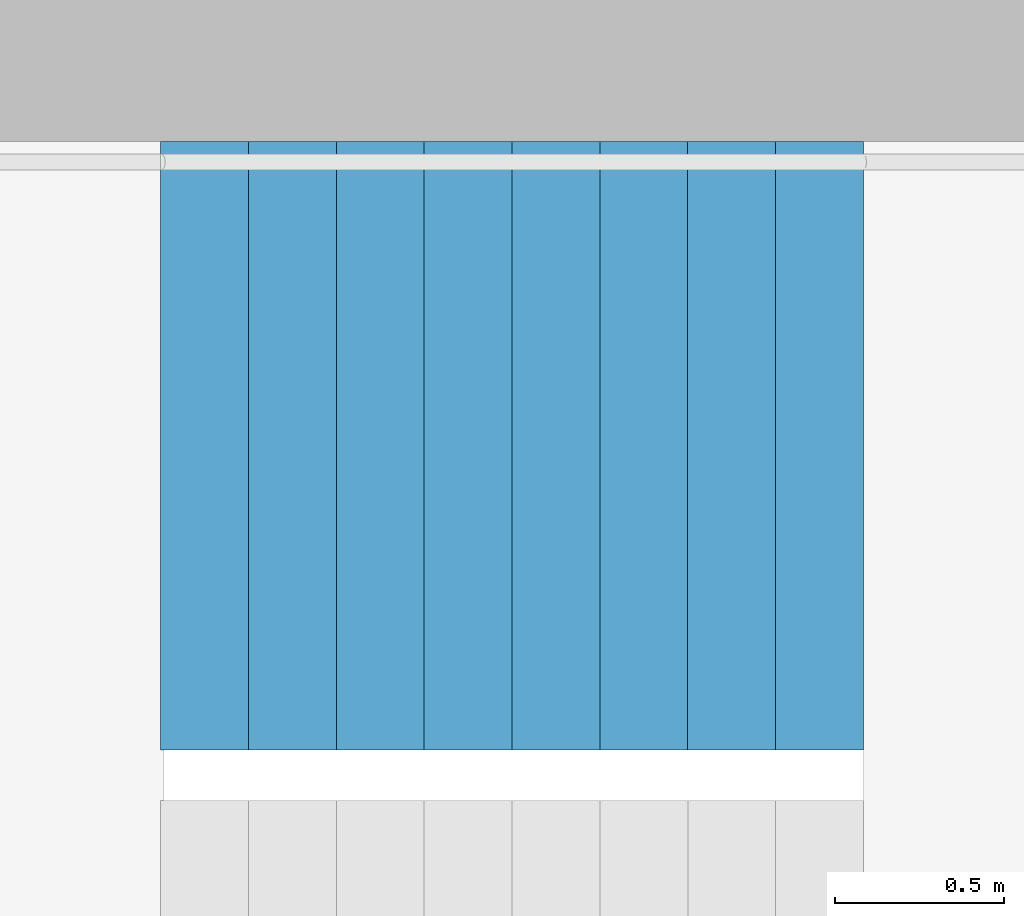
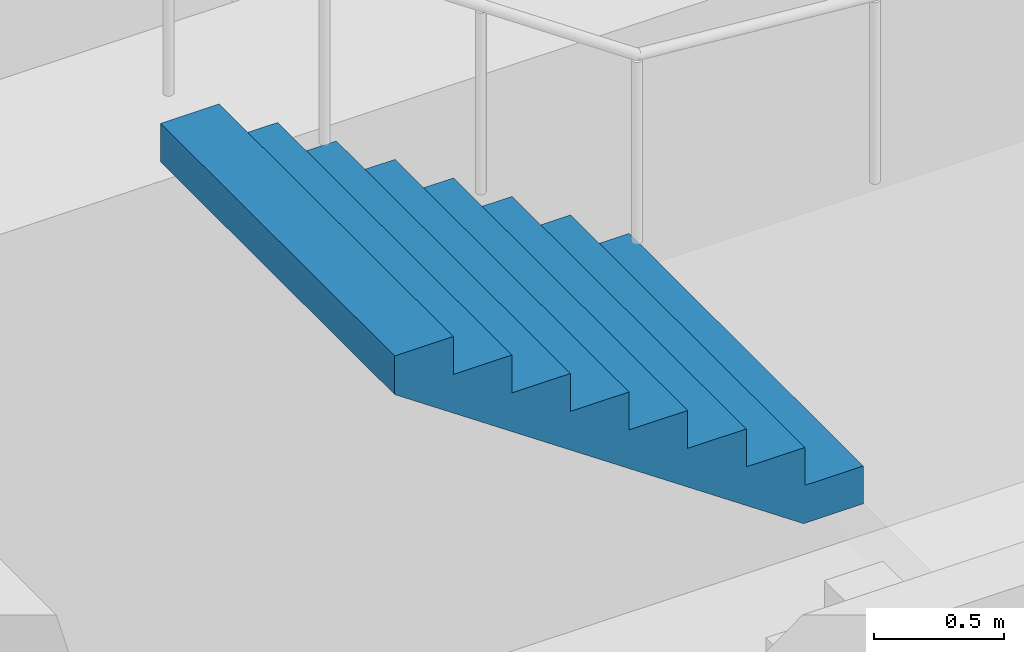
# One storey, part 21 of 26: 1 stair flight, 1 element without a shape of its own.
"""IFC4 building model written with IfcOpenShell, lengths in metres."""

from ifc_helpers import new_model, si_unit, direction, frame, origin, place, context, subcontext, project, spatial, triangles, material, type_object, element, aggregate, save


model = new_model("IFC4")

# Units and contexts
model_context = context("Model", 3, precision=1e-05, world=origin(), true_north=direction((0.0, 1.0)))
body_context = subcontext(model_context, "Body", "Model", "MODEL_VIEW")
ifc_project = project(units=[si_unit("LENGTHUNIT", "METRE"), si_unit("AREAUNIT", "SQUARE_METRE"), si_unit("VOLUMEUNIT", "CUBIC_METRE"), si_unit("PLANEANGLEUNIT", "RADIAN"), si_unit("MASSUNIT", "GRAM", prefix="KILO")], contexts=[model_context])

# Site, building, storey
site_placement = place(None, origin())
site = spatial("IfcSite", under=ifc_project, at=site_placement, CompositionType="ELEMENT")
building_placement = place(site_placement, origin())
building = spatial("IfcBuilding", under=site, at=building_placement, Name="Hakoniwa Tower and Hamabe Station Hall", CompositionType="ELEMENT")
storey_placement = place(building_placement, frame((0.0, 0.0, 221.800048828125)))
storey = spatial("IfcBuildingStorey", under=building, at=storey_placement, Name="L63", CompositionType="ELEMENT", Elevation=221.800048828125)

# Stair, stair flight
ifc_material_1 = material(Name="Concrete C40", Category="concrete")
stair_type = type_object("IfcStairType", Name="ESCAPE STAIR 1800", PredefinedType="HALF_TURN_STAIR", material=ifc_material_1)
stair_placement = place(storey_placement, origin())
stair = element("IfcStair", 1, at=stair_placement, inside=storey, type_object=stair_type, Name="Escape stair ST-1 L63", PredefinedType="HALF_TURN_STAIR")
ifc_material_2 = material(Name="Concrete C40", Category="concrete")
stair_flight_type = type_object("IfcStairFlightType", Name="STAIR FLIGHT 1800", PredefinedType="STRAIGHT", material=ifc_material_2)
stair_flight_placement = place(storey_placement, frame((-22.320068359375, 6.60009765625, 1.599853515625), z_axis=(0.0, 0.0, 1.0), x_axis=(-1.0, 0.0, 0.0)))
stair_flight = element("IfcStairFlight", 2, at=stair_flight_placement, type_object=stair_flight_type, Name="ST-1 flight 2", NumberOfRisers=9, NumberOfTreads=8, PredefinedType="STRAIGHT", RiserHeight=0.177777778, TreadLength=0.26, context=body_context, shape_type="Tessellation", body=[
    triangles([(0.0, 0.89990234375, 0.0), (0.260009765625, 0.89990234375, 0.0), (0.265625, 0.89990234375, 0.0), (0.52001953125, 0.89990234375, 0.174072265625), (0.780029296875, 0.89990234375, 0.351806640625), (1.0400390625, 0.89990234375, 0.529541015625), (1.300048828125, 0.89990234375, 0.707275390625), (1.56005859375, 0.89990234375, 0.885009765625), (1.820068359375, 0.89990234375, 1.062744140625), (2.080078125, 0.89990234375, 1.24072265625), (2.080078125, 0.89990234375, 1.422119140625), (1.820068359375, 0.89990234375, 1.422119140625), (1.820068359375, 0.89990234375, 1.244384765625), (1.56005859375, 0.89990234375, 1.244384765625), (1.56005859375, 0.89990234375, 1.066650390625), (1.300048828125, 0.89990234375, 1.066650390625), (1.300048828125, 0.89990234375, 0.888916015625), (1.0400390625, 0.89990234375, 0.888916015625), (1.0400390625, 0.89990234375, 0.711181640625), (0.780029296875, 0.89990234375, 0.711181640625), (0.780029296875, 0.89990234375, 0.533447265625), (0.52001953125, 0.89990234375, 0.533447265625), (0.52001953125, 0.89990234375, 0.35546875), (0.265625, 0.89990234375, 0.35546875), (0.260009765625, 0.89990234375, 0.35546875), (0.260009765625, 0.89990234375, 0.177734375), (0.0, 0.89990234375, 0.177734375), (0.0, 0.06005859375, 0.0), (0.260009765625, 0.06005859375, 0.0), (0.265625, 0.06005859375, 0.0), (0.52001953125, 0.06005859375, 0.174072265625), (0.780029296875, 0.06005859375, 0.351806640625), (1.0400390625, 0.06005859375, 0.529541015625), (1.300048828125, 0.06005859375, 0.707275390625), (1.56005859375, 0.06005859375, 0.885009765625), (1.820068359375, 0.06005859375, 1.062744140625), (2.080078125, 0.06005859375, 1.24072265625), (2.080078125, 0.06005859375, 1.422119140625), (1.820068359375, 0.06005859375, 1.422119140625), (1.820068359375, 0.06005859375, 1.244384765625), (1.56005859375, 0.06005859375, 1.244384765625), (1.56005859375, 0.06005859375, 1.066650390625), (1.300048828125, 0.06005859375, 1.066650390625), (1.300048828125, 0.06005859375, 0.888916015625), (1.0400390625, 0.06005859375, 0.888916015625), (1.0400390625, 0.06005859375, 0.711181640625), (0.780029296875, 0.06005859375, 0.711181640625), (0.780029296875, 0.06005859375, 0.533447265625), (0.52001953125, 0.06005859375, 0.533447265625), (0.52001953125, 0.06005859375, 0.35546875), (0.265625, 0.06005859375, 0.35546875), (0.260009765625, 0.06005859375, 0.35546875), (0.260009765625, 0.06005859375, 0.177734375), (0.0, 0.06005859375, 0.177734375), (0.0, 0.04296875, 0.0), (0.260009765625, 0.04296875, 0.0), (0.265625, 0.04296875, 0.0), (0.52001953125, 0.04296875, 0.174072265625), (0.780029296875, 0.04296875, 0.351806640625), (1.0400390625, 0.04296875, 0.529541015625), (1.300048828125, 0.04296875, 0.707275390625), (1.56005859375, 0.04296875, 0.885009765625), (1.820068359375, 0.04296875, 1.062744140625), (2.080078125, 0.04296875, 1.24072265625), (2.080078125, 0.04296875, 1.422119140625), (1.820068359375, 0.04296875, 1.422119140625), (1.820068359375, 0.04296875, 1.244384765625), (1.56005859375, 0.04296875, 1.244384765625), (1.56005859375, 0.04296875, 1.066650390625), (1.300048828125, 0.04296875, 1.066650390625), (1.300048828125, 0.04296875, 0.888916015625), (1.0400390625, 0.04296875, 0.888916015625), (1.0400390625, 0.04296875, 0.711181640625), (0.780029296875, 0.04296875, 0.711181640625), (0.780029296875, 0.04296875, 0.533447265625), (0.52001953125, 0.04296875, 0.533447265625), (0.52001953125, 0.04296875, 0.35546875), (0.265625, 0.04296875, 0.35546875), (0.260009765625, 0.04296875, 0.35546875), (0.260009765625, 0.04296875, 0.177734375), (0.0, 0.04296875, 0.177734375), (0.0, 0.025634765625, 0.0), (0.260009765625, 0.025634765625, 0.0), (0.265625, 0.025634765625, 0.0), (0.52001953125, 0.025634765625, 0.174072265625), (0.780029296875, 0.025634765625, 0.351806640625), (1.0400390625, 0.025634765625, 0.529541015625), (1.300048828125, 0.025634765625, 0.707275390625), (1.56005859375, 0.025634765625, 0.885009765625), (1.820068359375, 0.025634765625, 1.062744140625), (2.080078125, 0.025634765625, 1.24072265625), (2.080078125, 0.025634765625, 1.422119140625), (1.820068359375, 0.025634765625, 1.422119140625), (1.820068359375, 0.025634765625, 1.244384765625), (1.56005859375, 0.025634765625, 1.244384765625), (1.56005859375, 0.025634765625, 1.066650390625), (1.300048828125, 0.025634765625, 1.066650390625), (1.300048828125, 0.025634765625, 0.888916015625), (1.0400390625, 0.025634765625, 0.888916015625), (1.0400390625, 0.025634765625, 0.711181640625), (0.780029296875, 0.025634765625, 0.711181640625), (0.780029296875, 0.025634765625, 0.533447265625), (0.52001953125, 0.025634765625, 0.533447265625), (0.52001953125, 0.025634765625, 0.35546875), (0.265625, 0.025634765625, 0.35546875), (0.260009765625, 0.025634765625, 0.35546875), (0.260009765625, 0.025634765625, 0.177734375), (0.0, 0.025634765625, 0.177734375), (0.0, 0.008544921875, 0.0), (0.260009765625, 0.008544921875, 0.0), (0.265625, 0.008544921875, 0.0), (0.52001953125, 0.008544921875, 0.174072265625), (0.780029296875, 0.008544921875, 0.351806640625), (1.0400390625, 0.008544921875, 0.529541015625), (1.300048828125, 0.008544921875, 0.707275390625), (1.56005859375, 0.008544921875, 0.885009765625), (1.820068359375, 0.008544921875, 1.062744140625), (2.080078125, 0.008544921875, 1.24072265625), (2.080078125, 0.008544921875, 1.422119140625), (1.820068359375, 0.008544921875, 1.422119140625), (1.820068359375, 0.008544921875, 1.244384765625), (1.56005859375, 0.008544921875, 1.244384765625), (1.56005859375, 0.008544921875, 1.066650390625), (1.300048828125, 0.008544921875, 1.066650390625), (1.300048828125, 0.008544921875, 0.888916015625), (1.0400390625, 0.008544921875, 0.888916015625), (1.0400390625, 0.008544921875, 0.711181640625), (0.780029296875, 0.008544921875, 0.711181640625), (0.780029296875, 0.008544921875, 0.533447265625), (0.52001953125, 0.008544921875, 0.533447265625), (0.52001953125, 0.008544921875, 0.35546875), (0.265625, 0.008544921875, 0.35546875), (0.260009765625, 0.008544921875, 0.35546875), (0.260009765625, 0.008544921875, 0.177734375), (0.0, 0.008544921875, 0.177734375), (0.0, -0.008544921875, 0.0), (0.260009765625, -0.008544921875, 0.0), (0.265625, -0.008544921875, 0.0), (0.52001953125, -0.008544921875, 0.174072265625), (0.780029296875, -0.008544921875, 0.351806640625), (1.0400390625, -0.008544921875, 0.529541015625), (1.300048828125, -0.008544921875, 0.707275390625), (1.56005859375, -0.008544921875, 0.885009765625), (1.820068359375, -0.008544921875, 1.062744140625), (2.080078125, -0.008544921875, 1.24072265625), (2.080078125, -0.008544921875, 1.422119140625), (1.820068359375, -0.008544921875, 1.422119140625), (1.820068359375, -0.008544921875, 1.244384765625), (1.56005859375, -0.008544921875, 1.244384765625), (1.56005859375, -0.008544921875, 1.066650390625), (1.300048828125, -0.008544921875, 1.066650390625), (1.300048828125, -0.008544921875, 0.888916015625), (1.0400390625, -0.008544921875, 0.888916015625), (1.0400390625, -0.008544921875, 0.711181640625), (0.780029296875, -0.008544921875, 0.711181640625), (0.780029296875, -0.008544921875, 0.533447265625), (0.52001953125, -0.008544921875, 0.533447265625), (0.52001953125, -0.008544921875, 0.35546875), (0.265625, -0.008544921875, 0.35546875), (0.260009765625, -0.008544921875, 0.35546875), (0.260009765625, -0.008544921875, 0.177734375), (0.0, -0.008544921875, 0.177734375), (0.0, -0.025634765625, 0.0), (0.260009765625, -0.025634765625, 0.0), (0.265625, -0.025634765625, 0.0), (0.52001953125, -0.025634765625, 0.174072265625), (0.780029296875, -0.025634765625, 0.351806640625), (1.0400390625, -0.025634765625, 0.529541015625), (1.300048828125, -0.025634765625, 0.707275390625), (1.56005859375, -0.025634765625, 0.885009765625), (1.820068359375, -0.025634765625, 1.062744140625), (2.080078125, -0.025634765625, 1.24072265625), (2.080078125, -0.025634765625, 1.422119140625), (1.820068359375, -0.025634765625, 1.422119140625), (1.820068359375, -0.025634765625, 1.244384765625), (1.56005859375, -0.025634765625, 1.244384765625), (1.56005859375, -0.025634765625, 1.066650390625), (1.300048828125, -0.025634765625, 1.066650390625), (1.300048828125, -0.025634765625, 0.888916015625), (1.0400390625, -0.025634765625, 0.888916015625), (1.0400390625, -0.025634765625, 0.711181640625), (0.780029296875, -0.025634765625, 0.711181640625), (0.780029296875, -0.025634765625, 0.533447265625), (0.52001953125, -0.025634765625, 0.533447265625), (0.52001953125, -0.025634765625, 0.35546875), (0.265625, -0.025634765625, 0.35546875), (0.260009765625, -0.025634765625, 0.35546875), (0.260009765625, -0.025634765625, 0.177734375), (0.0, -0.025634765625, 0.177734375), (0.0, -0.04296875, 0.0), (0.260009765625, -0.04296875, 0.0), (0.265625, -0.04296875, 0.0), (0.52001953125, -0.04296875, 0.174072265625), (0.780029296875, -0.04296875, 0.351806640625), (1.0400390625, -0.04296875, 0.529541015625), (1.300048828125, -0.04296875, 0.707275390625), (1.56005859375, -0.04296875, 0.885009765625), (1.820068359375, -0.04296875, 1.062744140625), (2.080078125, -0.04296875, 1.24072265625), (2.080078125, -0.04296875, 1.422119140625), (1.820068359375, -0.04296875, 1.422119140625), (1.820068359375, -0.04296875, 1.244384765625), (1.56005859375, -0.04296875, 1.244384765625), (1.56005859375, -0.04296875, 1.066650390625), (1.300048828125, -0.04296875, 1.066650390625), (1.300048828125, -0.04296875, 0.888916015625), (1.0400390625, -0.04296875, 0.888916015625), (1.0400390625, -0.04296875, 0.711181640625), (0.780029296875, -0.04296875, 0.711181640625), (0.780029296875, -0.04296875, 0.533447265625), (0.52001953125, -0.04296875, 0.533447265625), (0.52001953125, -0.04296875, 0.35546875), (0.265625, -0.04296875, 0.35546875), (0.260009765625, -0.04296875, 0.35546875), (0.260009765625, -0.04296875, 0.177734375), (0.0, -0.04296875, 0.177734375), (0.0, -0.06005859375, 0.0), (0.260009765625, -0.06005859375, 0.0), (0.265625, -0.06005859375, 0.0), (0.52001953125, -0.06005859375, 0.174072265625), (0.780029296875, -0.06005859375, 0.351806640625), (1.0400390625, -0.06005859375, 0.529541015625), (1.300048828125, -0.06005859375, 0.707275390625), (1.56005859375, -0.06005859375, 0.885009765625), (1.820068359375, -0.06005859375, 1.062744140625), (2.080078125, -0.06005859375, 1.24072265625), (2.080078125, -0.06005859375, 1.422119140625), (1.820068359375, -0.06005859375, 1.422119140625), (1.820068359375, -0.06005859375, 1.244384765625), (1.56005859375, -0.06005859375, 1.244384765625), (1.56005859375, -0.06005859375, 1.066650390625), (1.300048828125, -0.06005859375, 1.066650390625), (1.300048828125, -0.06005859375, 0.888916015625), (1.0400390625, -0.06005859375, 0.888916015625), (1.0400390625, -0.06005859375, 0.711181640625), (0.780029296875, -0.06005859375, 0.711181640625), (0.780029296875, -0.06005859375, 0.533447265625), (0.52001953125, -0.06005859375, 0.533447265625), (0.52001953125, -0.06005859375, 0.35546875), (0.265625, -0.06005859375, 0.35546875), (0.260009765625, -0.06005859375, 0.35546875), (0.260009765625, -0.06005859375, 0.177734375), (0.0, -0.06005859375, 0.177734375), (0.0, -0.89990234375, 0.0), (0.260009765625, -0.89990234375, 0.0), (0.265625, -0.89990234375, 0.0), (0.52001953125, -0.89990234375, 0.174072265625), (0.780029296875, -0.89990234375, 0.351806640625), (1.0400390625, -0.89990234375, 0.529541015625), (1.300048828125, -0.89990234375, 0.707275390625), (1.56005859375, -0.89990234375, 0.885009765625), (1.820068359375, -0.89990234375, 1.062744140625), (2.080078125, -0.89990234375, 1.24072265625), (2.080078125, -0.89990234375, 1.422119140625), (1.820068359375, -0.89990234375, 1.422119140625), (1.820068359375, -0.89990234375, 1.244384765625), (1.56005859375, -0.89990234375, 1.244384765625), (1.56005859375, -0.89990234375, 1.066650390625), (1.300048828125, -0.89990234375, 1.066650390625), (1.300048828125, -0.89990234375, 0.888916015625), (1.0400390625, -0.89990234375, 0.888916015625), (1.0400390625, -0.89990234375, 0.711181640625), (0.780029296875, -0.89990234375, 0.711181640625), (0.780029296875, -0.89990234375, 0.533447265625), (0.52001953125, -0.89990234375, 0.533447265625), (0.52001953125, -0.89990234375, 0.35546875), (0.265625, -0.89990234375, 0.35546875), (0.260009765625, -0.89990234375, 0.35546875), (0.260009765625, -0.89990234375, 0.177734375), (0.0, -0.89990234375, 0.177734375)], [[2, 27, 26], [245, 269, 270], [2, 1, 27], [245, 270, 244], [3, 25, 24], [246, 267, 268], [3, 26, 25], [246, 268, 269], [3, 2, 26], [246, 269, 245], [4, 24, 23], [247, 266, 267], [4, 3, 24], [247, 267, 246], [5, 22, 21], [248, 264, 265], [5, 23, 22], [248, 265, 266], [5, 4, 23], [248, 266, 247], [6, 20, 19], [249, 262, 263], [6, 21, 20], [249, 263, 264], [6, 5, 21], [249, 264, 248], [7, 18, 17], [250, 260, 261], [7, 19, 18], [250, 261, 262], [7, 6, 19], [250, 262, 249], [8, 16, 15], [251, 258, 259], [8, 17, 16], [251, 259, 260], [8, 7, 17], [251, 260, 250], [9, 14, 13], [252, 256, 257], [9, 15, 14], [252, 257, 258], [9, 8, 15], [252, 258, 251], [10, 12, 11], [253, 254, 255], [10, 13, 12], [253, 255, 256], [10, 9, 13], [253, 256, 252], [1, 2, 29], [1, 29, 28], [28, 29, 56], [28, 56, 55], [55, 56, 83], [55, 83, 82], [82, 83, 110], [82, 110, 109], [109, 110, 137], [109, 137, 136], [136, 137, 164], [136, 164, 163], [163, 164, 191], [163, 191, 190], [190, 191, 218], [190, 218, 217], [217, 218, 245], [217, 245, 244], [2, 3, 30], [2, 30, 29], [29, 30, 57], [29, 57, 56], [56, 57, 84], [56, 84, 83], [83, 84, 111], [83, 111, 110], [110, 111, 138], [110, 138, 137], [137, 138, 165], [137, 165, 164], [164, 165, 192], [164, 192, 191], [191, 192, 219], [191, 219, 218], [218, 219, 246], [218, 246, 245], [3, 4, 31], [3, 31, 30], [30, 31, 58], [30, 58, 57], [57, 58, 85], [57, 85, 84], [84, 85, 112], [84, 112, 111], [111, 112, 139], [111, 139, 138], [138, 139, 166], [138, 166, 165], [165, 166, 193], [165, 193, 192], [192, 193, 220], [192, 220, 219], [219, 220, 247], [219, 247, 246], [4, 5, 32], [4, 32, 31], [31, 32, 59], [31, 59, 58], [58, 59, 86], [58, 86, 85], [85, 86, 113], [85, 113, 112], [112, 113, 140], [112, 140, 139], [139, 140, 167], [139, 167, 166], [166, 167, 194], [166, 194, 193], [193, 194, 221], [193, 221, 220], [220, 221, 248], [220, 248, 247], [5, 6, 33], [5, 33, 32], [32, 33, 60], [32, 60, 59], [59, 60, 87], [59, 87, 86], [86, 87, 114], [86, 114, 113], [113, 114, 141], [113, 141, 140], [140, 141, 168], [140, 168, 167], [167, 168, 195], [167, 195, 194], [194, 195, 222], [194, 222, 221], [221, 222, 249], [221, 249, 248], [6, 7, 34], [6, 34, 33], [33, 34, 61], [33, 61, 60], [60, 61, 88], [60, 88, 87], [87, 88, 115], [87, 115, 114], [114, 115, 142], [114, 142, 141], [141, 142, 169], [141, 169, 168], [168, 169, 196], [168, 196, 195], [195, 196, 223], [195, 223, 222], [222, 223, 250], [222, 250, 249], [7, 8, 35], [7, 35, 34], [34, 35, 62], [34, 62, 61], [61, 62, 89], [61, 89, 88], [88, 89, 116], [88, 116, 115], [115, 116, 143], [115, 143, 142], [142, 143, 170], [142, 170, 169], [169, 170, 197], [169, 197, 196], [196, 197, 224], [196, 224, 223], [223, 224, 251], [223, 251, 250], [8, 9, 36], [8, 36, 35], [35, 36, 63], [35, 63, 62], [62, 63, 90], [62, 90, 89], [89, 90, 117], [89, 117, 116], [116, 117, 144], [116, 144, 143], [143, 144, 171], [143, 171, 170], [170, 171, 198], [170, 198, 197], [197, 198, 225], [197, 225, 224], [224, 225, 252], [224, 252, 251], [9, 10, 37], [9, 37, 36], [36, 37, 64], [36, 64, 63], [63, 64, 91], [63, 91, 90], [90, 91, 118], [90, 118, 117], [117, 118, 145], [117, 145, 144], [144, 145, 172], [144, 172, 171], [171, 172, 199], [171, 199, 198], [198, 199, 226], [198, 226, 225], [225, 226, 253], [225, 253, 252], [10, 11, 38], [10, 38, 37], [37, 38, 65], [37, 65, 64], [64, 65, 92], [64, 92, 91], [91, 92, 119], [91, 119, 118], [118, 119, 146], [118, 146, 145], [145, 146, 173], [145, 173, 172], [172, 173, 200], [172, 200, 199], [199, 200, 227], [199, 227, 226], [226, 227, 254], [226, 254, 253], [11, 12, 39], [11, 39, 38], [38, 39, 66], [38, 66, 65], [65, 66, 93], [65, 93, 92], [92, 93, 120], [92, 120, 119], [119, 120, 147], [119, 147, 146], [146, 147, 174], [146, 174, 173], [173, 174, 201], [173, 201, 200], [200, 201, 228], [200, 228, 227], [227, 228, 255], [227, 255, 254], [12, 13, 40], [12, 40, 39], [39, 40, 67], [39, 67, 66], [66, 67, 94], [66, 94, 93], [93, 94, 121], [93, 121, 120], [120, 121, 148], [120, 148, 147], [147, 148, 175], [147, 175, 174], [174, 175, 202], [174, 202, 201], [201, 202, 229], [201, 229, 228], [228, 229, 256], [228, 256, 255], [13, 14, 41], [13, 41, 40], [40, 41, 68], [40, 68, 67], [67, 68, 95], [67, 95, 94], [94, 95, 122], [94, 122, 121], [121, 122, 149], [121, 149, 148], [148, 149, 176], [148, 176, 175], [175, 176, 203], [175, 203, 202], [202, 203, 230], [202, 230, 229], [229, 230, 257], [229, 257, 256], [14, 15, 42], [14, 42, 41], [41, 42, 69], [41, 69, 68], [68, 69, 96], [68, 96, 95], [95, 96, 123], [95, 123, 122], [122, 123, 150], [122, 150, 149], [149, 150, 177], [149, 177, 176], [176, 177, 204], [176, 204, 203], [203, 204, 231], [203, 231, 230], [230, 231, 258], [230, 258, 257], [15, 16, 43], [15, 43, 42], [42, 43, 70], [42, 70, 69], [69, 70, 97], [69, 97, 96], [96, 97, 124], [96, 124, 123], [123, 124, 151], [123, 151, 150], [150, 151, 178], [150, 178, 177], [177, 178, 205], [177, 205, 204], [204, 205, 232], [204, 232, 231], [231, 232, 259], [231, 259, 258], [16, 17, 44], [16, 44, 43], [43, 44, 71], [43, 71, 70], [70, 71, 98], [70, 98, 97], [97, 98, 125], [97, 125, 124], [124, 125, 152], [124, 152, 151], [151, 152, 179], [151, 179, 178], [178, 179, 206], [178, 206, 205], [205, 206, 233], [205, 233, 232], [232, 233, 260], [232, 260, 259], [17, 18, 45], [17, 45, 44], [44, 45, 72], [44, 72, 71], [71, 72, 99], [71, 99, 98], [98, 99, 126], [98, 126, 125], [125, 126, 153], [125, 153, 152], [152, 153, 180], [152, 180, 179], [179, 180, 207], [179, 207, 206], [206, 207, 234], [206, 234, 233], [233, 234, 261], [233, 261, 260], [18, 19, 46], [18, 46, 45], [45, 46, 73], [45, 73, 72], [72, 73, 100], [72, 100, 99], [99, 100, 127], [99, 127, 126], [126, 127, 154], [126, 154, 153], [153, 154, 181], [153, 181, 180], [180, 181, 208], [180, 208, 207], [207, 208, 235], [207, 235, 234], [234, 235, 262], [234, 262, 261], [19, 20, 47], [19, 47, 46], [46, 47, 74], [46, 74, 73], [73, 74, 101], [73, 101, 100], [100, 101, 128], [100, 128, 127], [127, 128, 155], [127, 155, 154], [154, 155, 182], [154, 182, 181], [181, 182, 209], [181, 209, 208], [208, 209, 236], [208, 236, 235], [235, 236, 263], [235, 263, 262], [20, 21, 48], [20, 48, 47], [47, 48, 75], [47, 75, 74], [74, 75, 102], [74, 102, 101], [101, 102, 129], [101, 129, 128], [128, 129, 156], [128, 156, 155], [155, 156, 183], [155, 183, 182], [182, 183, 210], [182, 210, 209], [209, 210, 237], [209, 237, 236], [236, 237, 264], [236, 264, 263], [21, 22, 49], [21, 49, 48], [48, 49, 76], [48, 76, 75], [75, 76, 103], [75, 103, 102], [102, 103, 130], [102, 130, 129], [129, 130, 157], [129, 157, 156], [156, 157, 184], [156, 184, 183], [183, 184, 211], [183, 211, 210], [210, 211, 238], [210, 238, 237], [237, 238, 265], [237, 265, 264], [22, 23, 50], [22, 50, 49], [49, 50, 77], [49, 77, 76], [76, 77, 104], [76, 104, 103], [103, 104, 131], [103, 131, 130], [130, 131, 158], [130, 158, 157], [157, 158, 185], [157, 185, 184], [184, 185, 212], [184, 212, 211], [211, 212, 239], [211, 239, 238], [238, 239, 266], [238, 266, 265], [23, 24, 51], [23, 51, 50], [50, 51, 78], [50, 78, 77], [77, 78, 105], [77, 105, 104], [104, 105, 132], [104, 132, 131], [131, 132, 159], [131, 159, 158], [158, 159, 186], [158, 186, 185], [185, 186, 213], [185, 213, 212], [212, 213, 240], [212, 240, 239], [239, 240, 267], [239, 267, 266], [24, 25, 52], [24, 52, 51], [51, 52, 79], [51, 79, 78], [78, 79, 106], [78, 106, 105], [105, 106, 133], [105, 133, 132], [132, 133, 160], [132, 160, 159], [159, 160, 187], [159, 187, 186], [186, 187, 214], [186, 214, 213], [213, 214, 241], [213, 241, 240], [240, 241, 268], [240, 268, 267], [25, 26, 53], [25, 53, 52], [52, 53, 80], [52, 80, 79], [79, 80, 107], [79, 107, 106], [106, 107, 134], [106, 134, 133], [133, 134, 161], [133, 161, 160], [160, 161, 188], [160, 188, 187], [187, 188, 215], [187, 215, 214], [214, 215, 242], [214, 242, 241], [241, 242, 269], [241, 269, 268], [26, 27, 54], [26, 54, 53], [53, 54, 81], [53, 81, 80], [80, 81, 108], [80, 108, 107], [107, 108, 135], [107, 135, 134], [134, 135, 162], [134, 162, 161], [161, 162, 189], [161, 189, 188], [188, 189, 216], [188, 216, 215], [215, 216, 243], [215, 243, 242], [242, 243, 270], [242, 270, 269], [27, 1, 28], [27, 28, 54], [54, 28, 55], [54, 55, 81], [81, 55, 82], [81, 82, 108], [108, 82, 109], [108, 109, 135], [135, 109, 136], [135, 136, 162], [162, 136, 163], [162, 163, 189], [189, 163, 190], [189, 190, 216], [216, 190, 217], [216, 217, 243], [243, 217, 244], [243, 244, 270]], closed=True),
])
aggregate(stair, [stair_flight])

save(model, "model.ifc")
